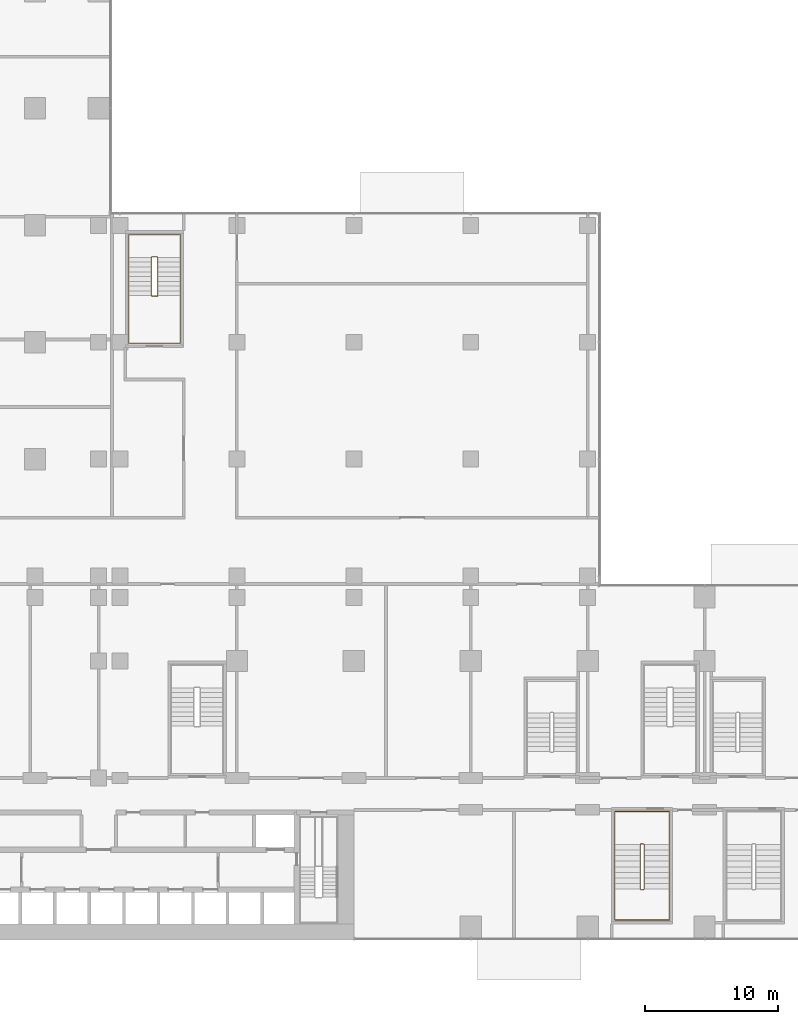
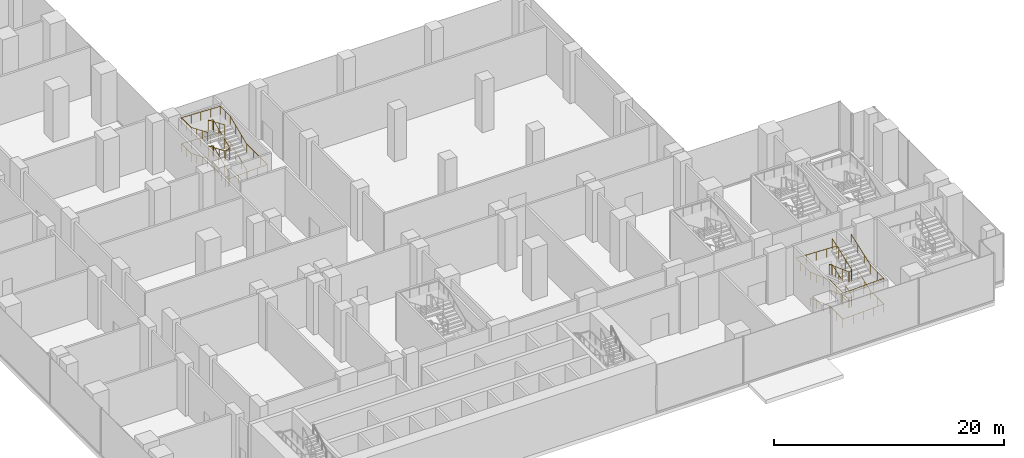
# One storey, part 28 of 30: 4 railings.
"""IFC4 building model written with IfcOpenShell, lengths in metres."""

from ifc_helpers import new_model, si_unit, direction, frame, origin, origin_2d, place, context, subcontext, project, spatial, circle, extrude, material, type_object, element, save


model = new_model("IFC4")

# Units and contexts
model_context = context("Model", 3, precision=1e-05, world=origin(), true_north=direction((0.0, 1.0)))
body_context = subcontext(model_context, "Body", "Model", "MODEL_VIEW")
ifc_project = project(units=[si_unit("LENGTHUNIT", "METRE"), si_unit("AREAUNIT", "SQUARE_METRE"), si_unit("VOLUMEUNIT", "CUBIC_METRE"), si_unit("PLANEANGLEUNIT", "RADIAN"), si_unit("MASSUNIT", "GRAM", prefix="KILO")], contexts=[model_context])

# Site, building, storey
site_placement = place(None, origin())
site = spatial("IfcSite", under=ifc_project, at=site_placement, CompositionType="ELEMENT")
building_placement = place(site_placement, origin())
building = spatial("IfcBuilding", under=site, at=building_placement, Name="Kemantara Hotel Tower", CompositionType="ELEMENT")
storey_placement = place(building_placement, frame((0.0, 0.0, 7.5)))
storey = spatial("IfcBuildingStorey", under=building, at=storey_placement, Name="L01", CompositionType="ELEMENT", Elevation=7.5)

# Railings
ifc_material = material(Name="Stainless steel balustrade", Category="steel")
railing_type_1 = type_object("IfcRailingType", Name="Stair guard 1100 mm", PredefinedType="GUARDRAIL", material=ifc_material)
railing_1_placement = place(storey_placement, frame((29.75, 48.5, 5.5)))
element("IfcRailing", 1, at=railing_1_placement, inside=storey, type_object=railing_type_1, Name="L01 PS2 stair guard 1", PredefinedType="GUARDRAIL", context=body_context, shape_type="SweptSolid", body=[
    extrude(circle(Radius=0.02392578125, at=origin_2d()), frame((0.0, 0.0, 1.076171875), z_axis=(0.0, 0.920535863683, -0.390658064903), x_axis=(-1.0, 0.0, 0.0)), (0.0, 0.0, 1.0), 3.12841796875),
    extrude(circle(Radius=0.02392578125, at=origin_2d()), frame((0.0, 2.8798828125, -0.14599609375), z_axis=(0.297155754911, 0.297155754911, -0.90741220768), x_axis=(-0.707106781187, 0.707106781187, 0.0)), (0.0, 0.0, 1.0), 0.16845703125),
    extrude(circle(Radius=0.02392578125, at=origin_2d()), frame((0.050048828125, 2.929931640625, -0.298828125), z_axis=(1.0, 0.0, 0.0), x_axis=(0.0, 1.0, 0.0)), (0.0, 0.0, 1.0), 0.39990234375),
    extrude(circle(Radius=0.02392578125, at=origin_2d()), frame((0.449951171875, 2.929931640625, -0.298828125), z_axis=(0.707106781187, -0.707106781187, 0.0), x_axis=(0.707106781187, 0.707106781187, 0.0)), (0.0, 0.0, 1.0), 0.07080078125),
    extrude(circle(Radius=0.02392578125, at=origin_2d()), frame((0.5, 2.8798828125, -0.298828125), z_axis=(0.0, -0.920535863683, -0.390658064903), x_axis=(1.0, 0.0, 0.0)), (0.0, 0.0, 1.0), 3.12841796875),
    extrude(circle(Radius=0.02392578125, at=origin_2d()), frame((0.5, 0.0, -1.52099609375), z_axis=(-0.941661397821, -0.104742586301, -0.319848092803), x_axis=(0.110549901152, -0.993870574751, 0.0)), (0.0, 0.0, 1.0), 0.477783203125),
    extrude(circle(Radius=0.02392578125, at=origin_2d()), frame((0.050048828125, -0.050048828125, -1.673828125), z_axis=(1.0, 0.0, 0.0), x_axis=(0.0, 1.0, 0.0)), (0.0, 0.0, 1.0), 0.39990234375),
    extrude(circle(Radius=0.02392578125, at=origin_2d()), frame((0.449951171875, -0.050048828125, -1.673828125), z_axis=(-0.993870574751, 0.110549901152, 0.0), x_axis=(-0.110549901152, -0.993870574751, 0.0)), (0.0, 0.0, 1.0), 0.45263671875),
    extrude(circle(Radius=0.02392578125, at=origin_2d()), frame((0.0, 0.0, -1.673828125), z_axis=(0.0, 0.920535863683, -0.390658064903), x_axis=(-1.0, 0.0, 0.0)), (0.0, 0.0, 1.0), 3.12841796875),
    extrude(circle(Radius=0.02392578125, at=origin_2d()), frame((0.0, 2.8798828125, -2.89599609375), z_axis=(0.297155754911, 0.297155754911, -0.90741220768), x_axis=(-0.707106781187, 0.707106781187, 0.0)), (0.0, 0.0, 1.0), 0.16845703125),
    extrude(circle(Radius=0.02392578125, at=origin_2d()), frame((0.050048828125, 2.929931640625, -3.048828125), z_axis=(1.0, 0.0, 0.0), x_axis=(0.0, 1.0, 0.0)), (0.0, 0.0, 1.0), 0.39990234375),
    extrude(circle(Radius=0.02392578125, at=origin_2d()), frame((0.449951171875, 2.929931640625, -3.048828125), z_axis=(0.707106781187, -0.707106781187, 0.0), x_axis=(0.707106781187, 0.707106781187, 0.0)), (0.0, 0.0, 1.0), 0.07080078125),
    extrude(circle(Radius=0.02392578125, at=origin_2d()), frame((0.5, 2.8798828125, -3.048828125), z_axis=(0.0, -0.920535863683, -0.390658064903), x_axis=(1.0, 0.0, 0.0)), (0.0, 0.0, 1.0), 3.12841796875),
    extrude(circle(Radius=0.02392578125, at=origin_2d()), frame((0.5, 0.0, -4.27099609375), z_axis=(-0.297155754911, -0.297155754911, -0.90741220768), x_axis=(0.707106781187, -0.707106781187, 0.0)), (0.0, 0.0, 1.0), 0.16845703125),
    extrude(circle(Radius=0.02392578125, at=origin_2d()), frame((0.449951171875, -0.050048828125, -4.423828125), z_axis=(-1.0, 0.0, 0.0), x_axis=(0.0, -1.0, 0.0)), (0.0, 0.0, 1.0), 0.39990234375),
    extrude(circle(Radius=0.02099609375, at=origin_2d()), origin(), (0.0, 0.0, 1.0), 1.052001953125),
    extrude(circle(Radius=0.02099609375, at=origin_2d()), frame((0.0, 0.9599609375, -0.407470703125)), (0.0, 0.0, 1.0), 1.052001953125),
    extrude(circle(Radius=0.02099609375, at=origin_2d()), frame((0.0, 1.919921875, -0.814697265625)), (0.0, 0.0, 1.0), 1.052001953125),
    extrude(circle(Radius=0.02099609375, at=origin_2d()), frame((0.0, 2.8798828125, -1.22216796875)), (0.0, 0.0, 1.0), 1.052001953125),
    extrude(circle(Radius=0.02099609375, at=origin_2d()), frame((0.050048828125, 2.929931640625, -1.375)), (0.0, 0.0, 1.0), 1.052001953125),
    extrude(circle(Radius=0.02099609375, at=origin_2d()), frame((0.449951171875, 2.929931640625, -1.375)), (0.0, 0.0, 1.0), 1.052001953125),
    extrude(circle(Radius=0.02099609375, at=origin_2d()), frame((0.5, 2.8798828125, -1.375)), (0.0, 0.0, 1.0), 1.052001953125),
    extrude(circle(Radius=0.02099609375, at=origin_2d()), frame((0.5, 1.919921875, -1.782470703125)), (0.0, 0.0, 1.0), 1.052001953125),
    extrude(circle(Radius=0.02099609375, at=origin_2d()), frame((0.5, 0.9599609375, -2.189697265625)), (0.0, 0.0, 1.0), 1.052001953125),
    extrude(circle(Radius=0.02099609375, at=origin_2d()), frame((0.5, 0.0, -2.59716796875)), (0.0, 0.0, 1.0), 1.052001953125),
    extrude(circle(Radius=0.02099609375, at=origin_2d()), frame((0.050048828125, -0.050048828125, -2.75)), (0.0, 0.0, 1.0), 1.052001953125),
    extrude(circle(Radius=0.02099609375, at=origin_2d()), frame((0.449951171875, -0.050048828125, -2.75)), (0.0, 0.0, 1.0), 1.052001953125),
    extrude(circle(Radius=0.02099609375, at=origin_2d()), frame((0.0, 0.0, -2.75)), (0.0, 0.0, 1.0), 1.052001953125),
    extrude(circle(Radius=0.02099609375, at=origin_2d()), frame((0.0, 0.9599609375, -3.157470703125)), (0.0, 0.0, 1.0), 1.052001953125),
    extrude(circle(Radius=0.02099609375, at=origin_2d()), frame((0.0, 1.919921875, -3.564697265625)), (0.0, 0.0, 1.0), 1.052001953125),
    extrude(circle(Radius=0.02099609375, at=origin_2d()), frame((0.0, 2.8798828125, -3.97216796875)), (0.0, 0.0, 1.0), 1.052001953125),
    extrude(circle(Radius=0.02099609375, at=origin_2d()), frame((0.050048828125, 2.929931640625, -4.125)), (0.0, 0.0, 1.0), 1.052001953125),
    extrude(circle(Radius=0.02099609375, at=origin_2d()), frame((0.449951171875, 2.929931640625, -4.125)), (0.0, 0.0, 1.0), 1.052001953125),
    extrude(circle(Radius=0.02099609375, at=origin_2d()), frame((0.5, 2.8798828125, -4.125)), (0.0, 0.0, 1.0), 1.052001953125),
    extrude(circle(Radius=0.02099609375, at=origin_2d()), frame((0.5, 1.919921875, -4.532470703125)), (0.0, 0.0, 1.0), 1.052001953125),
    extrude(circle(Radius=0.02099609375, at=origin_2d()), frame((0.5, 0.9599609375, -4.939697265625)), (0.0, 0.0, 1.0), 1.052001953125),
    extrude(circle(Radius=0.02099609375, at=origin_2d()), frame((0.5, 0.0, -5.34716796875)), (0.0, 0.0, 1.0), 1.052001953125),
    extrude(circle(Radius=0.02099609375, at=origin_2d()), frame((0.449951171875, -0.050048828125, -5.5)), (0.0, 0.0, 1.0), 1.052001953125),
    extrude(circle(Radius=0.02099609375, at=origin_2d()), frame((0.050048828125, -0.050048828125, -5.5)), (0.0, 0.0, 1.0), 1.052001953125),
])
railing_2_placement = place(storey_placement, frame((66.85009765625, 7.199951171875, 5.5)))
element("IfcRailing", 2, at=railing_2_placement, inside=storey, type_object=railing_type_1, Name="L01 PS4 stair guard 1", PredefinedType="GUARDRAIL", context=body_context, shape_type="SweptSolid", body=[
    extrude(circle(Radius=0.02392578125, at=origin_2d()), frame((0.0, 0.0, 1.076171875), z_axis=(0.0, -0.93975753056, -0.341841752506), x_axis=(1.0, 0.0, 0.0)), (0.0, 0.0, 1.0), 3.5751953125),
    extrude(circle(Radius=0.02392578125, at=origin_2d()), frame((0.0, -3.35986328125, -0.14599609375), z_axis=(-0.297155754911, -0.297155754911, -0.90741220768), x_axis=(0.707106781187, -0.707106781187, 0.0)), (0.0, 0.0, 1.0), 0.16845703125),
    extrude(circle(Radius=0.02392578125, at=origin_2d()), frame((-0.050048828125, -3.409912109375, -0.298828125), z_axis=(-1.0, 0.0, 0.0), x_axis=(0.0, -1.0, 0.0)), (0.0, 0.0, 1.0), 0.199951171875),
    extrude(circle(Radius=0.02392578125, at=origin_2d()), frame((-0.25, -3.409912109375, -0.298828125), z_axis=(-0.707106781187, 0.707106781187, 0.0), x_axis=(-0.707106781187, -0.707106781187, 0.0)), (0.0, 0.0, 1.0), 0.07080078125),
    extrude(circle(Radius=0.02392578125, at=origin_2d()), frame((-0.300048828125, -3.35986328125, -0.298828125), z_axis=(0.0, 0.93975753056, -0.341841752506), x_axis=(-1.0, 0.0, 0.0)), (0.0, 0.0, 1.0), 3.5751953125),
    extrude(circle(Radius=0.02392578125, at=origin_2d()), frame((-0.300048828125, 0.0, -1.52099609375), z_axis=(0.841019323802, 0.168368126347, -0.514138766309), x_axis=(-0.196300278283, 0.98054382908, 0.0)), (0.0, 0.0, 1.0), 0.29736328125),
    extrude(circle(Radius=0.02392578125, at=origin_2d()), frame((-0.050048828125, 0.050048828125, -1.673828125), z_axis=(-1.0, 0.0, 0.0), x_axis=(0.0, -1.0, 0.0)), (0.0, 0.0, 1.0), 0.199951171875),
    extrude(circle(Radius=0.02392578125, at=origin_2d()), frame((-0.25, 0.050048828125, -1.673828125), z_axis=(0.98054382908, -0.196300278283, 0.0), x_axis=(0.196300278283, 0.98054382908, 0.0)), (0.0, 0.0, 1.0), 0.2548828125),
    extrude(circle(Radius=0.02392578125, at=origin_2d()), frame((0.0, 0.0, -1.673828125), z_axis=(0.0, -0.93975753056, -0.341841752506), x_axis=(1.0, 0.0, 0.0)), (0.0, 0.0, 1.0), 3.5751953125),
    extrude(circle(Radius=0.02392578125, at=origin_2d()), frame((0.0, -3.35986328125, -2.89599609375), z_axis=(-0.297155754911, -0.297155754911, -0.90741220768), x_axis=(0.707106781187, -0.707106781187, 0.0)), (0.0, 0.0, 1.0), 0.16845703125),
    extrude(circle(Radius=0.02392578125, at=origin_2d()), frame((-0.050048828125, -3.409912109375, -3.048828125), z_axis=(-1.0, 0.0, 0.0), x_axis=(0.0, -1.0, 0.0)), (0.0, 0.0, 1.0), 0.199951171875),
    extrude(circle(Radius=0.02392578125, at=origin_2d()), frame((-0.25, -3.409912109375, -3.048828125), z_axis=(-0.707106781187, 0.707106781187, 0.0), x_axis=(-0.707106781187, -0.707106781187, 0.0)), (0.0, 0.0, 1.0), 0.07080078125),
    extrude(circle(Radius=0.02392578125, at=origin_2d()), frame((-0.300048828125, -3.35986328125, -3.048828125), z_axis=(0.0, 0.93975753056, -0.341841752506), x_axis=(-1.0, 0.0, 0.0)), (0.0, 0.0, 1.0), 3.5751953125),
    extrude(circle(Radius=0.02392578125, at=origin_2d()), frame((-0.300048828125, 0.0, -4.27099609375), z_axis=(0.297155754911, 0.297155754911, -0.90741220768), x_axis=(-0.707106781187, 0.707106781187, 0.0)), (0.0, 0.0, 1.0), 0.16845703125),
    extrude(circle(Radius=0.02392578125, at=origin_2d()), frame((-0.25, 0.050048828125, -4.423828125), z_axis=(1.0, 0.0, 0.0), x_axis=(0.0, 1.0, 0.0)), (0.0, 0.0, 1.0), 0.199951171875),
    extrude(circle(Radius=0.02099609375, at=origin_2d()), origin(), (0.0, 0.0, 1.0), 1.052001953125),
    extrude(circle(Radius=0.02099609375, at=origin_2d()), frame((0.0, -1.119873046875, -0.407470703125)), (0.0, 0.0, 1.0), 1.052001953125),
    extrude(circle(Radius=0.02099609375, at=origin_2d()), frame((0.0, -2.239990234375, -0.814697265625)), (0.0, 0.0, 1.0), 1.052001953125),
    extrude(circle(Radius=0.02099609375, at=origin_2d()), frame((0.0, -3.35986328125, -1.22216796875)), (0.0, 0.0, 1.0), 1.052001953125),
    extrude(circle(Radius=0.02099609375, at=origin_2d()), frame((-0.050048828125, -3.409912109375, -1.375)), (0.0, 0.0, 1.0), 1.052001953125),
    extrude(circle(Radius=0.02099609375, at=origin_2d()), frame((-0.25, -3.409912109375, -1.375)), (0.0, 0.0, 1.0), 1.052001953125),
    extrude(circle(Radius=0.02099609375, at=origin_2d()), frame((-0.300048828125, -3.35986328125, -1.375)), (0.0, 0.0, 1.0), 1.052001953125),
    extrude(circle(Radius=0.02099609375, at=origin_2d()), frame((-0.300048828125, -2.239990234375, -1.782470703125)), (0.0, 0.0, 1.0), 1.052001953125),
    extrude(circle(Radius=0.02099609375, at=origin_2d()), frame((-0.300048828125, -1.119873046875, -2.189697265625)), (0.0, 0.0, 1.0), 1.052001953125),
    extrude(circle(Radius=0.02099609375, at=origin_2d()), frame((-0.300048828125, 0.0, -2.59716796875)), (0.0, 0.0, 1.0), 1.052001953125),
    extrude(circle(Radius=0.02099609375, at=origin_2d()), frame((-0.050048828125, 0.050048828125, -2.75)), (0.0, 0.0, 1.0), 1.052001953125),
    extrude(circle(Radius=0.02099609375, at=origin_2d()), frame((-0.25, 0.050048828125, -2.75)), (0.0, 0.0, 1.0), 1.052001953125),
    extrude(circle(Radius=0.02099609375, at=origin_2d()), frame((0.0, 0.0, -2.75)), (0.0, 0.0, 1.0), 1.052001953125),
    extrude(circle(Radius=0.02099609375, at=origin_2d()), frame((0.0, -1.119873046875, -3.157470703125)), (0.0, 0.0, 1.0), 1.052001953125),
    extrude(circle(Radius=0.02099609375, at=origin_2d()), frame((0.0, -2.239990234375, -3.564697265625)), (0.0, 0.0, 1.0), 1.052001953125),
    extrude(circle(Radius=0.02099609375, at=origin_2d()), frame((0.0, -3.35986328125, -3.97216796875)), (0.0, 0.0, 1.0), 1.052001953125),
    extrude(circle(Radius=0.02099609375, at=origin_2d()), frame((-0.050048828125, -3.409912109375, -4.125)), (0.0, 0.0, 1.0), 1.052001953125),
    extrude(circle(Radius=0.02099609375, at=origin_2d()), frame((-0.25, -3.409912109375, -4.125)), (0.0, 0.0, 1.0), 1.052001953125),
    extrude(circle(Radius=0.02099609375, at=origin_2d()), frame((-0.300048828125, -3.35986328125, -4.125)), (0.0, 0.0, 1.0), 1.052001953125),
    extrude(circle(Radius=0.02099609375, at=origin_2d()), frame((-0.300048828125, -2.239990234375, -4.532470703125)), (0.0, 0.0, 1.0), 1.052001953125),
    extrude(circle(Radius=0.02099609375, at=origin_2d()), frame((-0.300048828125, -1.119873046875, -4.939697265625)), (0.0, 0.0, 1.0), 1.052001953125),
    extrude(circle(Radius=0.02099609375, at=origin_2d()), frame((-0.300048828125, 0.0, -5.34716796875)), (0.0, 0.0, 1.0), 1.052001953125),
    extrude(circle(Radius=0.02099609375, at=origin_2d()), frame((-0.25, 0.050048828125, -5.5)), (0.0, 0.0, 1.0), 1.052001953125),
    extrude(circle(Radius=0.02099609375, at=origin_2d()), frame((-0.050048828125, 0.050048828125, -5.5)), (0.0, 0.0, 1.0), 1.052001953125),
])
railing_type_2 = type_object("IfcRailingType", Name="Stair handrail 900 mm", PredefinedType="HANDRAIL", material=ifc_material)
railing_3_placement = place(storey_placement, frame((31.949951171875, 48.5, 0.15283203125)))
element("IfcRailing", 3, at=railing_3_placement, inside=storey, type_object=railing_type_2, Name="L01 PS2 stair handrail 1", PredefinedType="HANDRAIL", context=body_context, shape_type="SweptSolid", body=[
    extrude(circle(Radius=0.02392578125, at=origin_2d()), frame((0.0, 0.0, 0.8759765625), z_axis=(0.0, 0.920535863683, 0.390658064903), x_axis=(-1.0, 0.0, 0.0)), (0.0, 0.0, 1.0), 3.12841796875),
    extrude(circle(Radius=0.02392578125, at=origin_2d()), frame((0.0, 2.8798828125, 2.09814453125), z_axis=(0.0, 1.0, 0.0), x_axis=(-1.0, 0.0, 0.0)), (0.0, 0.0, 1.0), 1.7001953125),
    extrude(circle(Radius=0.02392578125, at=origin_2d()), frame((0.0, 4.580078125, 2.09814453125), z_axis=(-0.999233006938, 0.0, 0.039158624161), x_axis=(0.0, -1.0, 0.0)), (0.0, 0.0, 1.0), 3.90283203125),
    extrude(circle(Radius=0.02392578125, at=origin_2d()), frame((-3.89990234375, 4.580078125, 2.2509765625), z_axis=(0.0, -1.0, 0.0), x_axis=(1.0, 0.0, 0.0)), (0.0, 0.0, 1.0), 1.7001953125),
    extrude(circle(Radius=0.02392578125, at=origin_2d()), frame((-3.89990234375, 2.8798828125, 2.2509765625), z_axis=(0.0, -0.920535863683, 0.390658064903), x_axis=(1.0, 0.0, 0.0)), (0.0, 0.0, 1.0), 3.12841796875),
    extrude(circle(Radius=0.02392578125, at=origin_2d()), frame((-3.89990234375, 0.0, 3.47314453125), z_axis=(0.0, -1.0, 0.0), x_axis=(1.0, 0.0, 0.0)), (0.0, 0.0, 1.0), 3.580078125),
    extrude(circle(Radius=0.02392578125, at=origin_2d()), frame((-3.89990234375, -3.580078125, 3.47314453125), z_axis=(0.999233006938, 0.0, 0.039158624161), x_axis=(0.0, 1.0, 0.0)), (0.0, 0.0, 1.0), 3.90283203125),
    extrude(circle(Radius=0.02392578125, at=origin_2d()), frame((0.0, -3.580078125, 3.6259765625), z_axis=(0.0, 1.0, 0.0), x_axis=(-1.0, 0.0, 0.0)), (0.0, 0.0, 1.0), 3.580078125),
    extrude(circle(Radius=0.02392578125, at=origin_2d()), frame((0.0, 0.0, 3.6259765625), z_axis=(0.0, 0.920535863683, 0.390658064903), x_axis=(-1.0, 0.0, 0.0)), (0.0, 0.0, 1.0), 3.12841796875),
    extrude(circle(Radius=0.02392578125, at=origin_2d()), frame((0.0, 2.8798828125, 4.84814453125), z_axis=(0.0, 1.0, 0.0), x_axis=(-1.0, 0.0, 0.0)), (0.0, 0.0, 1.0), 1.7001953125),
    extrude(circle(Radius=0.02392578125, at=origin_2d()), frame((0.0, 4.580078125, 4.84814453125), z_axis=(-0.999233006938, 0.0, 0.039158624161), x_axis=(0.0, -1.0, 0.0)), (0.0, 0.0, 1.0), 3.90283203125),
    extrude(circle(Radius=0.02392578125, at=origin_2d()), frame((-3.89990234375, 4.580078125, 5.0009765625), z_axis=(0.0, -1.0, 0.0), x_axis=(1.0, 0.0, 0.0)), (0.0, 0.0, 1.0), 1.7001953125),
    extrude(circle(Radius=0.02392578125, at=origin_2d()), frame((-3.89990234375, 2.8798828125, 5.0009765625), z_axis=(0.0, -0.920535863683, 0.390658064903), x_axis=(1.0, 0.0, 0.0)), (0.0, 0.0, 1.0), 3.12841796875),
    extrude(circle(Radius=0.02099609375, at=origin_2d()), origin(), (0.0, 0.0, 1.0), 0.851806640625),
    extrude(circle(Radius=0.02099609375, at=origin_2d()), frame((0.0, 0.9599609375, 0.407470703125)), (0.0, 0.0, 1.0), 0.851806640625),
    extrude(circle(Radius=0.02099609375, at=origin_2d()), frame((0.0, 1.919921875, 0.814697265625)), (0.0, 0.0, 1.0), 0.851806640625),
    extrude(circle(Radius=0.02099609375, at=origin_2d()), frame((0.0, 2.8798828125, 1.22216796875)), (0.0, 0.0, 1.0), 0.851806640625),
    extrude(circle(Radius=0.02099609375, at=origin_2d()), frame((0.0, 3.72998046875, 1.22216796875)), (0.0, 0.0, 1.0), 0.851806640625),
    extrude(circle(Radius=0.02099609375, at=origin_2d()), frame((0.0, 4.580078125, 1.22216796875)), (0.0, 0.0, 1.0), 0.851806640625),
    extrude(circle(Radius=0.02099609375, at=origin_2d()), frame((-0.97509765625, 4.580078125, 1.26025390625)), (0.0, 0.0, 1.0), 0.851806640625),
    extrude(circle(Radius=0.02099609375, at=origin_2d()), frame((-1.949951171875, 4.580078125, 1.298583984375)), (0.0, 0.0, 1.0), 0.851806640625),
    extrude(circle(Radius=0.02099609375, at=origin_2d()), frame((-2.9248046875, 4.580078125, 1.3369140625)), (0.0, 0.0, 1.0), 0.851806640625),
    extrude(circle(Radius=0.02099609375, at=origin_2d()), frame((-3.89990234375, 4.580078125, 1.375)), (0.0, 0.0, 1.0), 0.851806640625),
    extrude(circle(Radius=0.02099609375, at=origin_2d()), frame((-3.89990234375, 3.72998046875, 1.375)), (0.0, 0.0, 1.0), 0.851806640625),
    extrude(circle(Radius=0.02099609375, at=origin_2d()), frame((-3.89990234375, 2.8798828125, 1.375)), (0.0, 0.0, 1.0), 0.851806640625),
    extrude(circle(Radius=0.02099609375, at=origin_2d()), frame((-3.89990234375, 1.919921875, 1.782470703125)), (0.0, 0.0, 1.0), 0.851806640625),
    extrude(circle(Radius=0.02099609375, at=origin_2d()), frame((-3.89990234375, 0.9599609375, 2.189697265625)), (0.0, 0.0, 1.0), 0.851806640625),
    extrude(circle(Radius=0.02099609375, at=origin_2d()), frame((-3.89990234375, 0.0, 2.59716796875)), (0.0, 0.0, 1.0), 0.851806640625),
    extrude(circle(Radius=0.02099609375, at=origin_2d()), frame((-3.89990234375, -1.193359375, 2.59716796875)), (0.0, 0.0, 1.0), 0.851806640625),
    extrude(circle(Radius=0.02099609375, at=origin_2d()), frame((-3.89990234375, -2.38671875, 2.59716796875)), (0.0, 0.0, 1.0), 0.851806640625),
    extrude(circle(Radius=0.02099609375, at=origin_2d()), frame((-3.89990234375, -3.580078125, 2.59716796875)), (0.0, 0.0, 1.0), 0.851806640625),
    extrude(circle(Radius=0.02099609375, at=origin_2d()), frame((-2.9248046875, -3.580078125, 2.63525390625)), (0.0, 0.0, 1.0), 0.851806640625),
    extrude(circle(Radius=0.02099609375, at=origin_2d()), frame((-1.949951171875, -3.580078125, 2.673583984375)), (0.0, 0.0, 1.0), 0.851806640625),
    extrude(circle(Radius=0.02099609375, at=origin_2d()), frame((-0.97509765625, -3.580078125, 2.7119140625)), (0.0, 0.0, 1.0), 0.851806640625),
    extrude(circle(Radius=0.02099609375, at=origin_2d()), frame((0.0, -3.580078125, 2.75)), (0.0, 0.0, 1.0), 0.851806640625),
    extrude(circle(Radius=0.02099609375, at=origin_2d()), frame((0.0, -2.38671875, 2.75)), (0.0, 0.0, 1.0), 0.851806640625),
    extrude(circle(Radius=0.02099609375, at=origin_2d()), frame((0.0, -1.193359375, 2.75)), (0.0, 0.0, 1.0), 0.851806640625),
    extrude(circle(Radius=0.02099609375, at=origin_2d()), frame((0.0, 0.0, 2.75)), (0.0, 0.0, 1.0), 0.851806640625),
    extrude(circle(Radius=0.02099609375, at=origin_2d()), frame((0.0, 0.9599609375, 3.157470703125)), (0.0, 0.0, 1.0), 0.851806640625),
    extrude(circle(Radius=0.02099609375, at=origin_2d()), frame((0.0, 1.919921875, 3.564697265625)), (0.0, 0.0, 1.0), 0.851806640625),
    extrude(circle(Radius=0.02099609375, at=origin_2d()), frame((0.0, 2.8798828125, 3.97216796875)), (0.0, 0.0, 1.0), 0.851806640625),
    extrude(circle(Radius=0.02099609375, at=origin_2d()), frame((0.0, 3.72998046875, 3.97216796875)), (0.0, 0.0, 1.0), 0.851806640625),
    extrude(circle(Radius=0.02099609375, at=origin_2d()), frame((0.0, 4.580078125, 3.97216796875)), (0.0, 0.0, 1.0), 0.851806640625),
    extrude(circle(Radius=0.02099609375, at=origin_2d()), frame((-0.97509765625, 4.580078125, 4.01025390625)), (0.0, 0.0, 1.0), 0.851806640625),
    extrude(circle(Radius=0.02099609375, at=origin_2d()), frame((-1.949951171875, 4.580078125, 4.048583984375)), (0.0, 0.0, 1.0), 0.851806640625),
    extrude(circle(Radius=0.02099609375, at=origin_2d()), frame((-2.9248046875, 4.580078125, 4.0869140625)), (0.0, 0.0, 1.0), 0.851806640625),
    extrude(circle(Radius=0.02099609375, at=origin_2d()), frame((-3.89990234375, 4.580078125, 4.125)), (0.0, 0.0, 1.0), 0.851806640625),
    extrude(circle(Radius=0.02099609375, at=origin_2d()), frame((-3.89990234375, 3.72998046875, 4.125)), (0.0, 0.0, 1.0), 0.851806640625),
    extrude(circle(Radius=0.02099609375, at=origin_2d()), frame((-3.89990234375, 2.8798828125, 4.125)), (0.0, 0.0, 1.0), 0.851806640625),
    extrude(circle(Radius=0.02099609375, at=origin_2d()), frame((-3.89990234375, 1.919921875, 4.532470703125)), (0.0, 0.0, 1.0), 0.851806640625),
    extrude(circle(Radius=0.02099609375, at=origin_2d()), frame((-3.89990234375, 0.9599609375, 4.939697265625)), (0.0, 0.0, 1.0), 0.851806640625),
    extrude(circle(Radius=0.02099609375, at=origin_2d()), frame((-3.89990234375, 0.0, 5.34716796875)), (0.0, 0.0, 1.0), 0.851806640625),
])
railing_4_placement = place(storey_placement, frame((64.64990234375, 7.199951171875, 0.15283203125)))
element("IfcRailing", 4, at=railing_4_placement, inside=storey, type_object=railing_type_2, Name="L01 PS4 stair handrail 1", PredefinedType="HANDRAIL", context=body_context, shape_type="SweptSolid", body=[
    extrude(circle(Radius=0.02392578125, at=origin_2d()), frame((0.0, 0.0, 0.8759765625), z_axis=(0.0, -0.93975753056, 0.341841752506), x_axis=(1.0, 0.0, 0.0)), (0.0, 0.0, 1.0), 3.5751953125),
    extrude(circle(Radius=0.02392578125, at=origin_2d()), frame((0.0, -3.35986328125, 2.09814453125), z_axis=(0.0, -1.0, 0.0), x_axis=(1.0, 0.0, 0.0)), (0.0, 0.0, 1.0), 2.320068359375),
    extrude(circle(Radius=0.02392578125, at=origin_2d()), frame((0.0, -5.679931640625, 2.09814453125), z_axis=(0.999306002205, 0.0, 0.037249348421), x_axis=(0.0, 1.0, 0.0)), (0.0, 0.0, 1.0), 4.10302734375),
    extrude(circle(Radius=0.02392578125, at=origin_2d()), frame((4.10009765625, -5.679931640625, 2.2509765625), z_axis=(0.0, 1.0, 0.0), x_axis=(-1.0, 0.0, 0.0)), (0.0, 0.0, 1.0), 2.320068359375),
    extrude(circle(Radius=0.02392578125, at=origin_2d()), frame((4.10009765625, -3.35986328125, 2.2509765625), z_axis=(0.0, 0.93975753056, 0.341841752506), x_axis=(-1.0, 0.0, 0.0)), (0.0, 0.0, 1.0), 3.5751953125),
    extrude(circle(Radius=0.02392578125, at=origin_2d()), frame((4.10009765625, 0.0, 3.47314453125), z_axis=(0.0, 1.0, 0.0), x_axis=(-1.0, 0.0, 0.0)), (0.0, 0.0, 1.0), 2.47998046875),
    extrude(circle(Radius=0.02392578125, at=origin_2d()), frame((4.10009765625, 2.47998046875, 3.47314453125), z_axis=(-0.999306002205, 0.0, 0.037249348421), x_axis=(0.0, -1.0, 0.0)), (0.0, 0.0, 1.0), 4.10302734375),
    extrude(circle(Radius=0.02392578125, at=origin_2d()), frame((0.0, 2.47998046875, 3.6259765625), z_axis=(0.0, -1.0, 0.0), x_axis=(1.0, 0.0, 0.0)), (0.0, 0.0, 1.0), 2.47998046875),
    extrude(circle(Radius=0.02392578125, at=origin_2d()), frame((0.0, 0.0, 3.6259765625), z_axis=(0.0, -0.93975753056, 0.341841752506), x_axis=(1.0, 0.0, 0.0)), (0.0, 0.0, 1.0), 3.5751953125),
    extrude(circle(Radius=0.02392578125, at=origin_2d()), frame((0.0, -3.35986328125, 4.84814453125), z_axis=(0.0, -1.0, 0.0), x_axis=(1.0, 0.0, 0.0)), (0.0, 0.0, 1.0), 2.320068359375),
    extrude(circle(Radius=0.02392578125, at=origin_2d()), frame((0.0, -5.679931640625, 4.84814453125), z_axis=(0.999306002205, 0.0, 0.037249348421), x_axis=(0.0, 1.0, 0.0)), (0.0, 0.0, 1.0), 4.10302734375),
    extrude(circle(Radius=0.02392578125, at=origin_2d()), frame((4.10009765625, -5.679931640625, 5.0009765625), z_axis=(0.0, 1.0, 0.0), x_axis=(-1.0, 0.0, 0.0)), (0.0, 0.0, 1.0), 2.320068359375),
    extrude(circle(Radius=0.02392578125, at=origin_2d()), frame((4.10009765625, -3.35986328125, 5.0009765625), z_axis=(0.0, 0.93975753056, 0.341841752506), x_axis=(-1.0, 0.0, 0.0)), (0.0, 0.0, 1.0), 3.5751953125),
    extrude(circle(Radius=0.02099609375, at=origin_2d()), origin(), (0.0, 0.0, 1.0), 0.851806640625),
    extrude(circle(Radius=0.02099609375, at=origin_2d()), frame((0.0, -1.119873046875, 0.407470703125)), (0.0, 0.0, 1.0), 0.851806640625),
    extrude(circle(Radius=0.02099609375, at=origin_2d()), frame((0.0, -2.239990234375, 0.814697265625)), (0.0, 0.0, 1.0), 0.851806640625),
    extrude(circle(Radius=0.02099609375, at=origin_2d()), frame((0.0, -3.35986328125, 1.22216796875)), (0.0, 0.0, 1.0), 0.851806640625),
    extrude(circle(Radius=0.02099609375, at=origin_2d()), frame((0.0, -4.52001953125, 1.22216796875)), (0.0, 0.0, 1.0), 0.851806640625),
    extrude(circle(Radius=0.02099609375, at=origin_2d()), frame((0.0, -5.679931640625, 1.22216796875)), (0.0, 0.0, 1.0), 0.851806640625),
    extrude(circle(Radius=0.02099609375, at=origin_2d()), frame((1.02490234375, -5.679931640625, 1.26025390625)), (0.0, 0.0, 1.0), 0.851806640625),
    extrude(circle(Radius=0.02099609375, at=origin_2d()), frame((2.050048828125, -5.679931640625, 1.298583984375)), (0.0, 0.0, 1.0), 0.851806640625),
    extrude(circle(Radius=0.02099609375, at=origin_2d()), frame((3.0751953125, -5.679931640625, 1.3369140625)), (0.0, 0.0, 1.0), 0.851806640625),
    extrude(circle(Radius=0.02099609375, at=origin_2d()), frame((4.10009765625, -5.679931640625, 1.375)), (0.0, 0.0, 1.0), 0.851806640625),
    extrude(circle(Radius=0.02099609375, at=origin_2d()), frame((4.10009765625, -4.52001953125, 1.375)), (0.0, 0.0, 1.0), 0.851806640625),
    extrude(circle(Radius=0.02099609375, at=origin_2d()), frame((4.10009765625, -3.35986328125, 1.375)), (0.0, 0.0, 1.0), 0.851806640625),
    extrude(circle(Radius=0.02099609375, at=origin_2d()), frame((4.10009765625, -2.239990234375, 1.782470703125)), (0.0, 0.0, 1.0), 0.851806640625),
    extrude(circle(Radius=0.02099609375, at=origin_2d()), frame((4.10009765625, -1.119873046875, 2.189697265625)), (0.0, 0.0, 1.0), 0.851806640625),
    extrude(circle(Radius=0.02099609375, at=origin_2d()), frame((4.10009765625, 0.0, 2.59716796875)), (0.0, 0.0, 1.0), 0.851806640625),
    extrude(circle(Radius=0.02099609375, at=origin_2d()), frame((4.10009765625, 0.82666015625, 2.59716796875)), (0.0, 0.0, 1.0), 0.851806640625),
    extrude(circle(Radius=0.02099609375, at=origin_2d()), frame((4.10009765625, 1.6533203125, 2.59716796875)), (0.0, 0.0, 1.0), 0.851806640625),
    extrude(circle(Radius=0.02099609375, at=origin_2d()), frame((4.10009765625, 2.47998046875, 2.59716796875)), (0.0, 0.0, 1.0), 0.851806640625),
    extrude(circle(Radius=0.02099609375, at=origin_2d()), frame((3.0751953125, 2.47998046875, 2.63525390625)), (0.0, 0.0, 1.0), 0.851806640625),
    extrude(circle(Radius=0.02099609375, at=origin_2d()), frame((2.050048828125, 2.47998046875, 2.673583984375)), (0.0, 0.0, 1.0), 0.851806640625),
    extrude(circle(Radius=0.02099609375, at=origin_2d()), frame((1.02490234375, 2.47998046875, 2.7119140625)), (0.0, 0.0, 1.0), 0.851806640625),
    extrude(circle(Radius=0.02099609375, at=origin_2d()), frame((0.0, 2.47998046875, 2.75)), (0.0, 0.0, 1.0), 0.851806640625),
    extrude(circle(Radius=0.02099609375, at=origin_2d()), frame((0.0, 1.6533203125, 2.75)), (0.0, 0.0, 1.0), 0.851806640625),
    extrude(circle(Radius=0.02099609375, at=origin_2d()), frame((0.0, 0.82666015625, 2.75)), (0.0, 0.0, 1.0), 0.851806640625),
    extrude(circle(Radius=0.02099609375, at=origin_2d()), frame((0.0, 0.0, 2.75)), (0.0, 0.0, 1.0), 0.851806640625),
    extrude(circle(Radius=0.02099609375, at=origin_2d()), frame((0.0, -1.119873046875, 3.157470703125)), (0.0, 0.0, 1.0), 0.851806640625),
    extrude(circle(Radius=0.02099609375, at=origin_2d()), frame((0.0, -2.239990234375, 3.564697265625)), (0.0, 0.0, 1.0), 0.851806640625),
    extrude(circle(Radius=0.02099609375, at=origin_2d()), frame((0.0, -3.35986328125, 3.97216796875)), (0.0, 0.0, 1.0), 0.851806640625),
    extrude(circle(Radius=0.02099609375, at=origin_2d()), frame((0.0, -4.52001953125, 3.97216796875)), (0.0, 0.0, 1.0), 0.851806640625),
    extrude(circle(Radius=0.02099609375, at=origin_2d()), frame((0.0, -5.679931640625, 3.97216796875)), (0.0, 0.0, 1.0), 0.851806640625),
    extrude(circle(Radius=0.02099609375, at=origin_2d()), frame((1.02490234375, -5.679931640625, 4.01025390625)), (0.0, 0.0, 1.0), 0.851806640625),
    extrude(circle(Radius=0.02099609375, at=origin_2d()), frame((2.050048828125, -5.679931640625, 4.048583984375)), (0.0, 0.0, 1.0), 0.851806640625),
    extrude(circle(Radius=0.02099609375, at=origin_2d()), frame((3.0751953125, -5.679931640625, 4.0869140625)), (0.0, 0.0, 1.0), 0.851806640625),
    extrude(circle(Radius=0.02099609375, at=origin_2d()), frame((4.10009765625, -5.679931640625, 4.125)), (0.0, 0.0, 1.0), 0.851806640625),
    extrude(circle(Radius=0.02099609375, at=origin_2d()), frame((4.10009765625, -4.52001953125, 4.125)), (0.0, 0.0, 1.0), 0.851806640625),
    extrude(circle(Radius=0.02099609375, at=origin_2d()), frame((4.10009765625, -3.35986328125, 4.125)), (0.0, 0.0, 1.0), 0.851806640625),
    extrude(circle(Radius=0.02099609375, at=origin_2d()), frame((4.10009765625, -2.239990234375, 4.532470703125)), (0.0, 0.0, 1.0), 0.851806640625),
    extrude(circle(Radius=0.02099609375, at=origin_2d()), frame((4.10009765625, -1.119873046875, 4.939697265625)), (0.0, 0.0, 1.0), 0.851806640625),
    extrude(circle(Radius=0.02099609375, at=origin_2d()), frame((4.10009765625, 0.0, 5.34716796875)), (0.0, 0.0, 1.0), 0.851806640625),
])

save(model, "model.ifc")
